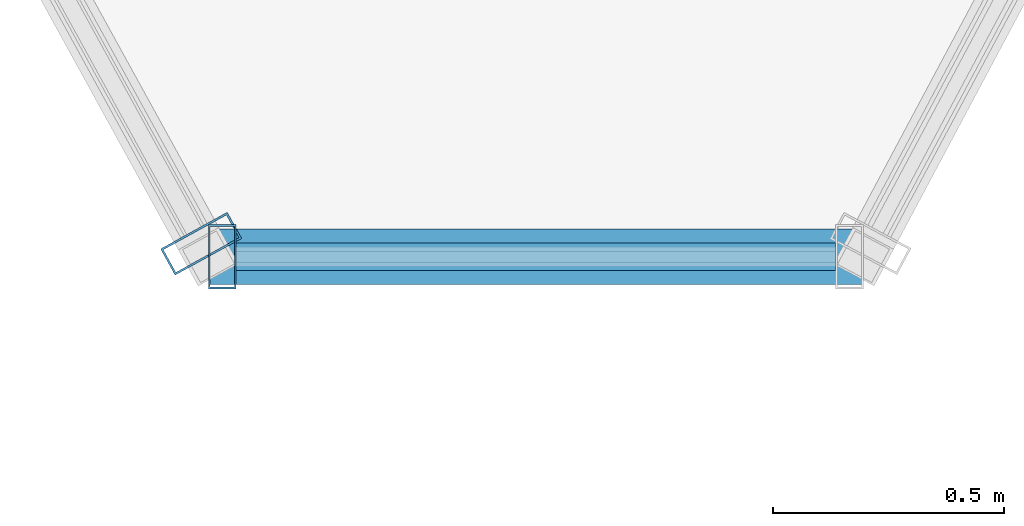
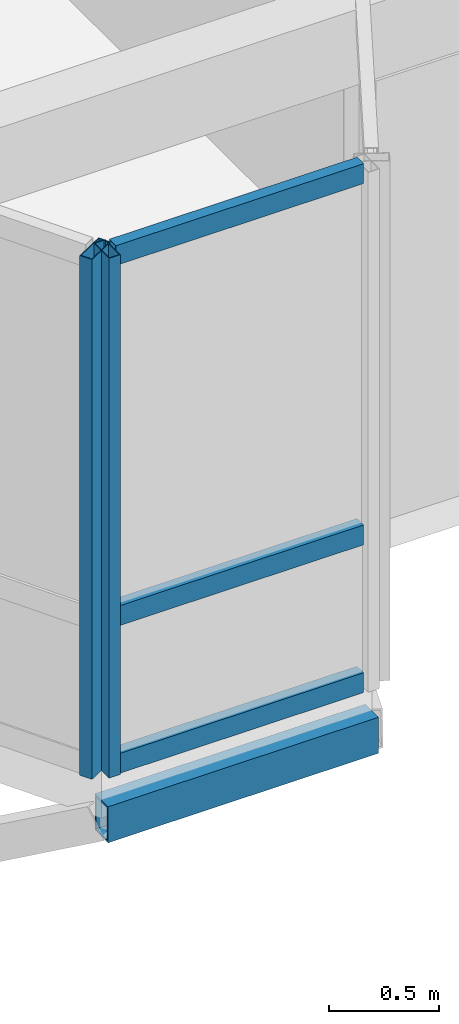
# One storey, part 58 of 124: 6 members, 2 elements without a shape of their own.
"""IFC4 building model written with IfcOpenShell, lengths in metres."""

from ifc_helpers import new_model, si_unit, direction, frame, origin, origin_2d, place, context, subcontext, project, spatial, hollow_rectangle, extrude, material, layer, layer_set, material_profile, profile_set, type_object, element, aggregate, save


model = new_model("IFC4")

# Units and contexts
model_context = context("Model", 3, precision=1e-05, world=origin(), true_north=direction((0.0, 1.0)))
body_context = subcontext(model_context, "Body", "Model", "MODEL_VIEW")
ifc_project = project(units=[si_unit("LENGTHUNIT", "METRE"), si_unit("AREAUNIT", "SQUARE_METRE"), si_unit("VOLUMEUNIT", "CUBIC_METRE"), si_unit("PLANEANGLEUNIT", "RADIAN"), si_unit("MASSUNIT", "GRAM", prefix="KILO"), si_unit("THERMODYNAMICTEMPERATUREUNIT", "KELVIN"), si_unit("POWERUNIT", "WATT")], contexts=[model_context])

# Site, building, storey
site_placement = place(None, origin())
site = spatial("IfcSite", under=ifc_project, at=site_placement, CompositionType="ELEMENT")
building_placement = place(site_placement, origin())
building = spatial("IfcBuilding", under=site, at=building_placement, Name="Tavuni Mirador Residences", CompositionType="ELEMENT")
storey_placement = place(building_placement, frame((0.0, 0.0, 7.64990234375)))
storey = spatial("IfcBuildingStorey", under=building, at=storey_placement, Name="L02", CompositionType="ELEMENT", Elevation=7.64990234375)

# Curtain wall, member
ifc_material_1 = material(Name="Anodised aluminium", Category="aluminium")
ifc_layer_1 = layer(ifc_material_1, 0.1650390625, Name="Anodised aluminium", Category="aluminium")
ifc_layer_set_1 = layer_set([ifc_layer_1], Name="Anodised aluminium")
curtain_wall_type_1 = type_object("IfcCurtainWallType", Name="CWT-MIR-A", PredefinedType="NOTDEFINED", material=ifc_layer_set_1)
curtain_wall_1_placement = place(storey_placement, origin())
curtain_wall_1 = element("IfcCurtainWall", 1, at=curtain_wall_1_placement, inside=storey, type_object=curtain_wall_type_1, Name="CW-MIR-C-S2-L02-MF", PredefinedType="NOTDEFINED")
ifc_material_profile_1 = material_profile(ifc_material_1, hollow_rectangle(XDim=0.06005859375, YDim=0.139892578125, WallThickness=0.00390625, at=origin_2d()), Name="ALU 60x140x4.0", Category="aluminium")
ifc_profile_set_1 = profile_set([ifc_material_profile_1], Name="Anodised aluminium")
member_type_1 = type_object("IfcMemberType", Name="CWM-140", PredefinedType="MULLION", material=ifc_profile_set_1)
member_1_placement = place(storey_placement, frame((33.389892578125, 142.800048828125, 0.0), z_axis=(0.0, 0.0, 1.0), x_axis=(1.0, 0.0, 0.0)))
member_1 = element("IfcMember", 2, at=member_1_placement, type_object=member_type_1, Name="CW-01 mullion 1", PredefinedType="MULLION", context=body_context, shape_type="SweptSolid", body=[
    extrude(hollow_rectangle(XDim=0.06005859375, YDim=0.139892578125, WallThickness=0.00390625, at=origin_2d()), origin(), (0.0, 0.0, 1.0), 2.885009765625),
])

ifc_layer_2 = layer(ifc_material_1, 0.159912109375, Name="Anodised aluminium", Category="aluminium")
ifc_layer_set_2 = layer_set([ifc_layer_2], Name="Anodised aluminium")
curtain_wall_type_2 = type_object("IfcCurtainWallType", Name="CWT-MIR-D", PredefinedType="NOTDEFINED", material=ifc_layer_set_2)
curtain_wall_2_placement = place(storey_placement, origin())
curtain_wall_2 = element("IfcCurtainWall", 3, at=curtain_wall_2_placement, inside=storey, type_object=curtain_wall_type_2, Name="CW-MIR-C-S2-L02-M1", PredefinedType="NOTDEFINED")
ifc_material_profile_2 = material_profile(ifc_material_1, hollow_rectangle(XDim=0.06494140625, YDim=0.1650390625, WallThickness=0.00439453125, at=origin_2d()), Name="ALU 65x165x4.5", Category="aluminium")
ifc_profile_set_2 = profile_set([ifc_material_profile_2], Name="Anodised aluminium")
member_type_2 = type_object("IfcMemberType", Name="CWM-165", PredefinedType="MULLION", material=ifc_profile_set_2)
member_2_placement = place(storey_placement, frame((33.34423828125, 142.828369140625, 0.0), z_axis=(0.0, 0.0, 1.0), x_axis=(0.481918749773, -0.876215908676, 0.0)))
member_2 = element("IfcMember", 4, at=member_2_placement, type_object=member_type_2, Name="CW-04 mullion 2", PredefinedType="MULLION", context=body_context, shape_type="SweptSolid", body=[
    extrude(hollow_rectangle(XDim=0.06494140625, YDim=0.1650390625, WallThickness=0.00439453125, at=origin_2d()), origin(), (0.0, 0.0, 1.0), 2.885009765625),
])
aggregate(curtain_wall_2, [member_2])

# Member
ifc_material_profile_3 = material_profile(ifc_material_1, hollow_rectangle(XDim=0.06005859375, YDim=0.110107421875, WallThickness=0.00390625, at=origin_2d()), Name="ALU 60x110x4.0", Category="aluminium")
ifc_profile_set_3 = profile_set([ifc_material_profile_3], Name="Anodised aluminium")
member_type_3 = type_object("IfcMemberType", Name="CWT-110", PredefinedType="USERDEFINED", material=ifc_profile_set_3)
member_3_placement = place(storey_placement, frame((33.419921875, 142.800048828125, 0.030029296875), z_axis=(1.0, 0.0, 0.0), x_axis=(0.0, 1.0, 0.0)))
member_3 = element("IfcMember", 5, at=member_3_placement, type_object=member_type_3, Name="CW-01 transom 1.1", ObjectType="TRANSOM", PredefinedType="USERDEFINED", context=body_context, shape_type="SweptSolid", body=[
    extrude(hollow_rectangle(XDim=0.06005859375, YDim=0.110107421875, WallThickness=0.00390625, at=origin_2d()), origin(), (0.0, 0.0, 1.0), 1.300048828125),
])

member_4_placement = place(storey_placement, frame((33.419921875, 142.800048828125, 0.85009765625), z_axis=(1.0, 0.0, 0.0), x_axis=(0.0, 1.0, 0.0)))
member_4 = element("IfcMember", 6, at=member_4_placement, type_object=member_type_3, Name="CW-01 transom 1.2", ObjectType="TRANSOM", PredefinedType="USERDEFINED", context=body_context, shape_type="SweptSolid", body=[
    extrude(hollow_rectangle(XDim=0.06005859375, YDim=0.110107421875, WallThickness=0.00390625, at=origin_2d()), origin(), (0.0, 0.0, 1.0), 1.300048828125),
])

member_5_placement = place(storey_placement, frame((33.419921875, 142.800048828125, 2.85498046875), z_axis=(1.0, 0.0, 0.0), x_axis=(0.0, 1.0, 0.0)))
member_5 = element("IfcMember", 7, at=member_5_placement, type_object=member_type_3, Name="CW-01 transom 1.3", ObjectType="TRANSOM", PredefinedType="USERDEFINED", context=body_context, shape_type="SweptSolid", body=[
    extrude(hollow_rectangle(XDim=0.06005859375, YDim=0.110107421875, WallThickness=0.00390625, at=origin_2d()), origin(), (0.0, 0.0, 1.0), 1.300048828125),
])

aggregate(curtain_wall_1, [member_1, member_3, member_4, member_5])

ifc_material_2 = material(Name="Structural steel S355", Category="steel")
ifc_material_profile_4 = material_profile(ifc_material_2, hollow_rectangle(XDim=0.1201171875, YDim=0.199951171875, WallThickness=0.010009765625, at=origin_2d()), Name="RHS 200x120x10.0", Category="steel")
ifc_profile_set_4 = profile_set([ifc_material_profile_4], Name="Structural steel S355")
member_type_4 = type_object("IfcMemberType", Name="MT-ST-RHS200", PredefinedType="STRUT", material=ifc_profile_set_4)
member_6_placement = place(storey_placement, frame((33.360107421875, 142.800048828125, -0.264892578125), z_axis=(1.0, 0.0, 0.0), x_axis=(0.0, 1.0, 0.0)))
element("IfcMember", 8, at=member_6_placement, inside=storey, type_object=member_type_4, Name="MRIM-MIR-C-S2-L02", PredefinedType="STRUT", context=body_context, shape_type="SweptSolid", body=[
    extrude(hollow_rectangle(XDim=0.1201171875, YDim=0.199951171875, WallThickness=0.010009765625, at=origin_2d()), origin(), (0.0, 0.0, 1.0), 1.419921875),
])

save(model, "model.ifc")
